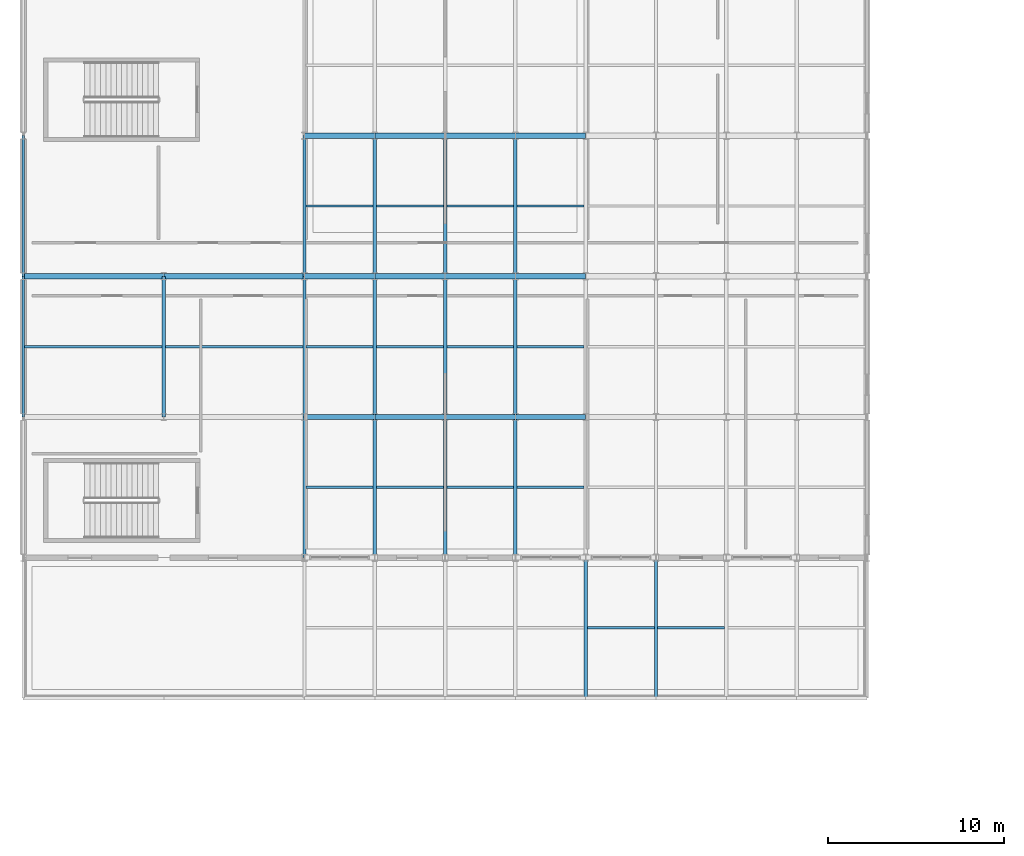
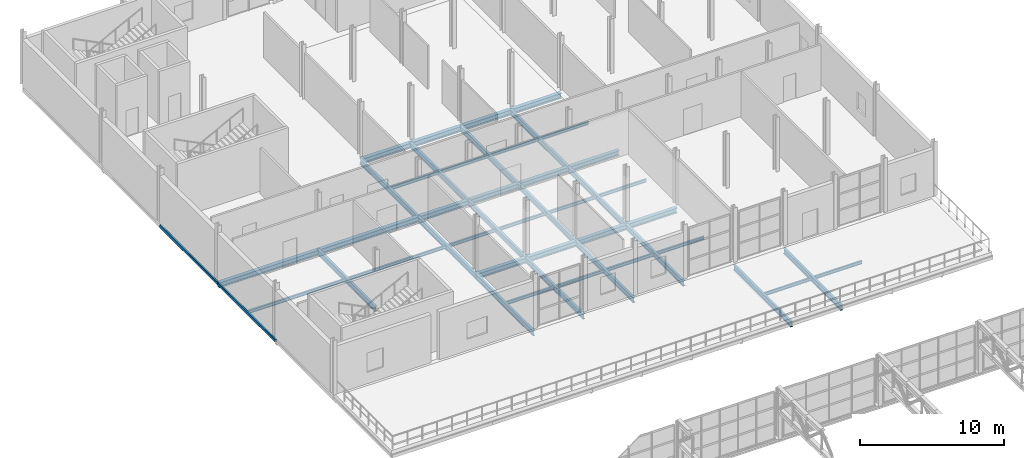
# One storey, part 47 of 67: 47 beams.
"""IFC4 building model written with IfcOpenShell, lengths in metres."""

import ifcopenshell
import ifcopenshell.guid

model = None  # the IFC model being written
_history = None  # IfcOwnerHistory: only IFC2X3 demands one
_inside = {}  # id of a spatial element -> (the spatial element, [elements in it])
_under = {}  # id of a project, library or spatial element -> (it, [spatial elements below it])
_declared = {}  # id of a project -> (the project, [libraries it declares])
_typed = {}  # id of a type object -> (the type object, [elements of that type])
_made_of = {}  # id of a material, layer set ... -> (it, [elements and type objects made of it])


def new_model(schema):
    """Start an empty IFC model of exactly this schema.

    Asked for "IFC4X3", IfcOpenShell would pick the latest addendum, in which some entities
    have other attributes; the version numbers below select the first issue.
    IFC2X3 requires an IfcOwnerHistory on every rooted entity: one is made here for all.
    """
    global model, _history
    if schema == "IFC4X3":
        model = ifcopenshell.file(schema_version=(4, 3, 0, 0))
    else:
        model = ifcopenshell.file(schema=schema)
    _inside.clear()
    _under.clear()
    _declared.clear()
    _typed.clear()
    _made_of.clear()
    _history = None
    if model.schema == "IFC2X3":
        org = make("IfcOrganization", Name="unknown")
        user = make(
            "IfcPersonAndOrganization",
            ThePerson=make("IfcPerson", FamilyName="unknown"),
            TheOrganization=org,
        )
        app = make(
            "IfcApplication",
            ApplicationDeveloper=org,
            Version="unknown",
            ApplicationFullName="unknown",
            ApplicationIdentifier="unknown",
        )
        _history = make(
            "IfcOwnerHistory",
            OwningUser=user,
            OwningApplication=app,
            ChangeAction="ADDED",
            CreationDate=0,
        )
    return model


def make(cls, **values):
    """One entity of the class cls with the attributes given. An attribute that is None is left unset."""
    return model.create_entity(
        cls, **{name: value for name, value in values.items() if value is not None}
    )


def rooted(cls, **values):
    """An entity with a GlobalId (a new one), such as an element, a storey or a relation."""
    return make(cls, GlobalId=ifcopenshell.guid.new(), OwnerHistory=_history, **values)


def si_unit(unit_type, name, prefix=None):
    """IfcSIUnit, for example si_unit("LENGTHUNIT", "METRE", prefix="MILLI")."""
    return make("IfcSIUnit", UnitType=unit_type, Prefix=prefix, Name=name)


def derived_unit(unit_type, elements):
    """IfcDerivedUnit: a product of units, each with its exponent."""
    return make(
        "IfcDerivedUnit",
        Elements=[
            make("IfcDerivedUnitElement", Unit=unit, Exponent=power)
            for unit, power in elements
        ],
        UnitType=unit_type,
    )


def assignment(units):
    """IfcUnitAssignment: the units of a project."""
    return None if units is None else make("IfcUnitAssignment", Units=units)


def point(xyz):
    """IfcCartesianPoint."""
    return None if xyz is None else make("IfcCartesianPoint", Coordinates=xyz)


def direction(xyz):
    """IfcDirection."""
    return None if xyz is None else make("IfcDirection", DirectionRatios=xyz)


def frame(location, z_axis=None, x_axis=None):
    """IfcAxis2Placement3D, a coordinate frame: its origin and axes. An axis left out is left unset."""
    return make(
        "IfcAxis2Placement3D",
        Location=point(location),
        Axis=direction(z_axis),
        RefDirection=direction(x_axis),
    )


def frame_2d(location, x_axis=None):
    """IfcAxis2Placement2D, a coordinate frame in the plane: its origin and x axis."""
    return make(
        "IfcAxis2Placement2D", Location=point(location), RefDirection=direction(x_axis)
    )


def origin():
    """The frame at (0, 0, 0) with its axes left unset."""
    return frame((0.0, 0.0, 0.0))


def origin_2d():
    """The frame at (0, 0) in the plane with its x axis left unset."""
    return frame_2d((0.0, 0.0))


def place(relative_to, where):
    """IfcLocalPlacement: puts the frame where relative to a parent placement (None: the world)."""
    return make(
        "IfcLocalPlacement", PlacementRelTo=relative_to, RelativePlacement=where
    )


def context(
    kind, dimensions, precision=None, world=None, true_north=None, identifier=None
):
    """IfcGeometricRepresentationContext, for example the 3D "Model" context."""
    return make(
        "IfcGeometricRepresentationContext",
        ContextIdentifier=identifier,
        ContextType=kind,
        CoordinateSpaceDimension=dimensions,
        Precision=precision,
        WorldCoordinateSystem=world,
        TrueNorth=true_north,
    )


def subcontext(parent, identifier, kind, view, scale=None):
    """IfcGeometricRepresentationSubContext, for example "Body" below "Model"."""
    return make(
        "IfcGeometricRepresentationSubContext",
        ContextIdentifier=identifier,
        ContextType=kind,
        ParentContext=parent,
        TargetScale=scale,
        TargetView=view,
    )


def project(units=None, contexts=None):
    """IfcProject with its units and contexts."""
    return rooted(
        "IfcProject",
        Name="project",
        RepresentationContexts=contexts,
        UnitsInContext=assignment(units),
    )


def spatial(cls, under=None, at=None, **own):
    """A site, building, storey or space (cls), placed at a placement, below another one or the project."""
    s = rooted(cls, ObjectPlacement=at, **own)
    if under is not None:
        _under.setdefault(under.id(), (under, []))[1].append(s)
    return s


def profile(cls, at=None, kind="AREA", **sizes):
    """A parametric profile (cls). Its sizes go by their IFC names, for example OverallWidth=200.0."""
    return make(cls, ProfileType=kind, Position=at, **sizes)


def hollow_rectangle(**sizes):
    """IfcRectangleHollowProfileDef."""
    return profile("IfcRectangleHollowProfileDef", **sizes)


def i_section(**sizes):
    """IfcIShapeProfileDef."""
    return profile("IfcIShapeProfileDef", **sizes)


def extrude(swept, where, along, depth):
    """IfcExtrudedAreaSolid: the profile swept, set in the frame where, extruded along a direction by depth."""
    return make(
        "IfcExtrudedAreaSolid",
        SweptArea=swept,
        Position=where,
        ExtrudedDirection=direction(along),
        Depth=depth,
    )


def shape(context_of_items, identifier, shape_type, items):
    """IfcShapeRepresentation: the items that make up one representation, for example the "Body"."""
    return make(
        "IfcShapeRepresentation",
        ContextOfItems=context_of_items,
        RepresentationIdentifier=identifier,
        RepresentationType=shape_type,
        Items=items,
    )


def material(Name=None, Category=None):
    """IfcMaterial."""
    return make("IfcMaterial", Name=Name, Category=Category)


def material_profile(
    of_material, cross_section, Name=None, Category=None, Priority=None
):
    """IfcMaterialProfile: a cross section and its material."""
    return make(
        "IfcMaterialProfile",
        Name=Name,
        Material=of_material,
        Profile=cross_section,
        Priority=Priority,
        Category=Category,
    )


def profile_set(profiles, Name=None, composite=None):
    """IfcMaterialProfileSet."""
    return make(
        "IfcMaterialProfileSet",
        Name=Name,
        MaterialProfiles=profiles,
        CompositeProfile=composite,
    )


def made_of(thing, what):
    """Note that an element or type object is made of a material, layer set ...; save() writes the relation."""
    if what is not None:
        _made_of.setdefault(what.id(), (what, []))[1].append(thing)
    return thing


def type_object(cls, material=None, **own):
    """A type object (cls), such as IfcWallType, which elements share."""
    return made_of(rooted(cls, **own), material)


def element(
    cls,
    number,
    at=None,
    inside=None,
    cuts=None,
    type_object=None,
    material=None,
    context=None,
    identifier="Body",
    shape_type=None,
    held_by="IfcProductDefinitionShape",
    body=None,
    shapes=None,
    **own,
):
    """One element of the class cls, such as IfcWall. Its Tag is "e" and its number.

    at: its placement. inside: the storey or other place that contains it. cuts: it is an
    opening in that element (IfcRelVoidsElement). A single representation is given by context,
    identifier, shape_type and body (its items); several are given by shapes. held_by: the class
    of the entity that holds the representations. save() writes the other relations.
    """
    e = rooted(cls, Tag="e%d" % number, ObjectPlacement=at, **own)
    if body is not None:
        shapes = [shape(context, identifier, shape_type, body)]
    if shapes is not None:
        e.Representation = make(held_by, Representations=shapes)
    if inside is not None:
        _inside.setdefault(inside.id(), (inside, []))[1].append(e)
    if cuts is not None:
        rooted(
            "IfcRelVoidsElement", RelatingBuildingElement=cuts, RelatedOpeningElement=e
        )
    if type_object is not None:
        _typed.setdefault(type_object.id(), (type_object, []))[1].append(e)
    return made_of(e, material)


def aggregate(whole, parts):
    """IfcRelAggregates: a whole, such as a stair, and the parts it consists of."""
    return rooted("IfcRelAggregates", RelatingObject=whole, RelatedObjects=parts)


def save(model, path):
    """Write the relations noted so far, then the file.

    IfcRelAggregates (storeys below a building ...), IfcRelContainedInSpatialStructure (elements
    in a storey), IfcRelDefinesByType, IfcRelAssociatesMaterial and IfcRelDeclares: one each for
    every whole, place, type object, material and project.
    """
    for whole, parts in _under.values():
        aggregate(whole, parts)
    for where, things in _inside.values():
        rooted(
            "IfcRelContainedInSpatialStructure",
            RelatedElements=things,
            RelatingStructure=where,
        )
    for kind, things in _typed.values():
        rooted("IfcRelDefinesByType", RelatedObjects=things, RelatingType=kind)
    for what, things in _made_of.values():
        rooted("IfcRelAssociatesMaterial", RelatedObjects=things, RelatingMaterial=what)
    for by, libraries in _declared.values():
        rooted("IfcRelDeclares", RelatingContext=by, RelatedDefinitions=libraries)
    model.write(path)


model = new_model("IFC4")

# Units and contexts
model_context = context("Model", 3, precision=1e-05, world=origin(), true_north=direction((0.0, 1.0)))
body_context = subcontext(model_context, "Body", "Model", "MODEL_VIEW")
ifc_project = project(units=[si_unit("LENGTHUNIT", "METRE"), si_unit("AREAUNIT", "SQUARE_METRE"), si_unit("VOLUMEUNIT", "CUBIC_METRE"), si_unit("PLANEANGLEUNIT", "RADIAN"), si_unit("MASSUNIT", "GRAM", prefix="KILO"), derived_unit("THERMALTRANSMITTANCEUNIT", [(si_unit("POWERUNIT", "WATT"), 1), (si_unit("LENGTHUNIT", "METRE"), -2), (si_unit("THERMODYNAMICTEMPERATUREUNIT", "KELVIN"), -1)])], contexts=[model_context])

# Site, building, storey
site_placement = place(None, origin())
site = spatial("IfcSite", under=ifc_project, at=site_placement, CompositionType="ELEMENT")
building_placement = place(site_placement, origin())
building = spatial("IfcBuilding", under=site, at=building_placement, Name="Keldorne Ridge Multi-Sports Centre", CompositionType="ELEMENT")
storey_placement = place(building_placement, frame((0.0, 0.0, 14.0)))
storey = spatial("IfcBuildingStorey", under=building, at=storey_placement, Name="L03", CompositionType="ELEMENT", Elevation=14.0)

# Beams
ifc_material = material(Name="Steel S355", Category="steel")
ifc_material_profile_1 = material_profile(ifc_material, i_section(OverallWidth=0.18994140625, OverallDepth=0.449951171875, WebThickness=0.009521484375, FlangeThickness=0.0146484375, FilletRadius=0.02099609375, at=origin_2d()), Name="IPE 450")
ifc_profile_set_1 = profile_set([ifc_material_profile_1], Name="Steel S355")
beam_type_1 = type_object("IfcBeamType", Name="BM-B-03", PredefinedType="BEAM", material=ifc_profile_set_1)
for number, where, z_axis, x_axis, name in (
    (1, (112.0, 82.0, -0.52490234375), (0.0, 1.0, 0.0), (-1.0, 0.0, 0.0), "L03 primary girder 112.3"),
    (2, (120.0, 74.0, -0.52490234375), (0.0, 1.0, 0.0), (-1.0, 0.0, 0.0), "L03 primary girder 120.2"),
    (3, (120.0, 82.0, -0.52490234375), (0.0, 1.0, 0.0), (-1.0, 0.0, 0.0), "L03 primary girder 120.3"),
    (4, (120.0, 90.0, -0.52490234375), (0.0, 1.0, 0.0), (-1.0, 0.0, 0.0), "L03 primary girder 120.4"),
    (5, (124.0, 74.0, -0.52490234375), (0.0, 1.0, 0.0), (-1.0, 0.0, 0.0), "L03 primary girder 124.2"),
    (6, (124.0, 82.0, -0.52490234375), (0.0, 1.0, 0.0), (-1.0, 0.0, 0.0), "L03 primary girder 124.3"),
    (7, (124.0, 90.0, -0.52490234375), (0.0, 1.0, 0.0), (-1.0, 0.0, 0.0), "L03 primary girder 124.4"),
    (8, (128.0, 74.0, -0.52490234375), (0.0, 1.0, 0.0), (-1.0, 0.0, 0.0), "L03 primary girder 128.2"),
    (9, (128.0, 82.0, -0.52490234375), (0.0, 1.0, 0.0), (-1.0, 0.0, 0.0), "L03 primary girder 128.3"),
    (10, (128.0, 90.0, -0.52490234375), (0.0, 1.0, 0.0), (-1.0, 0.0, 0.0), "L03 primary girder 128.4"),
    (11, (132.0, 74.0, -0.52490234375), (0.0, 1.0, 0.0), (-1.0, 0.0, 0.0), "L03 primary girder 132.2"),
    (12, (132.0, 82.0, -0.52490234375), (0.0, 1.0, 0.0), (-1.0, 0.0, 0.0), "L03 primary girder 132.3"),
    (13, (132.0, 90.0, -0.52490234375), (0.0, 1.0, 0.0), (-1.0, 0.0, 0.0), "L03 primary girder 132.4"),
    (14, (136.0, 66.0, -0.52490234375), (0.0, 1.0, 0.0), (-1.0, 0.0, 0.0), "L03 primary girder 136.1"),
    (15, (140.0, 66.0, -0.52490234375), (0.0, 1.0, 0.0), (-1.0, 0.0, 0.0), "L03 primary girder 140.1"),
):
    element("IfcBeam", number, at=place(storey_placement, frame(where, z_axis=z_axis, x_axis=x_axis)), inside=storey, type_object=beam_type_1, Name=name, PredefinedType="BEAM", context=body_context, shape_type="SweptSolid", body=[
        extrude(i_section(OverallWidth=0.18994140625, OverallDepth=0.449951171875, WebThickness=0.009521484375, FlangeThickness=0.0146484375, FilletRadius=0.02099609375, at=origin_2d()), origin(), (0.0, 0.0, 1.0), 8.0),
    ])
ifc_material_profile_2 = material_profile(ifc_material, i_section(OverallWidth=0.300048828125, OverallDepth=0.43994140625, WebThickness=0.011474609375, FlangeThickness=0.02099609375, FilletRadius=0.027099609375, at=origin_2d()), Name="HEA 450")
ifc_profile_set_2 = profile_set([ifc_material_profile_2], Name="Steel S355")
beam_type_2 = type_object("IfcBeamType", Name="BM-B-09", PredefinedType="BEAM", material=ifc_profile_set_2)
for number, where, z_axis, x_axis, name in (
    (16, (120.0, 82.0, -0.52001953125), (1.0, 0.0, 0.0), (0.0, 1.0, 0.0), "L03 primary beam 3.82"),
    (17, (124.0, 82.0, -0.52001953125), (1.0, 0.0, 0.0), (0.0, 1.0, 0.0), "L03 primary beam 4.82"),
    (18, (128.0, 82.0, -0.52001953125), (1.0, 0.0, 0.0), (0.0, 1.0, 0.0), "L03 primary beam 5.82"),
    (19, (132.0, 82.0, -0.52001953125), (1.0, 0.0, 0.0), (0.0, 1.0, 0.0), "L03 primary beam 6.82"),
):
    element("IfcBeam", number, at=place(storey_placement, frame(where, z_axis=z_axis, x_axis=x_axis)), inside=storey, type_object=beam_type_2, Name=name, PredefinedType="BEAM", context=body_context, shape_type="SweptSolid", body=[
        extrude(i_section(OverallWidth=0.300048828125, OverallDepth=0.43994140625, WebThickness=0.011474609375, FlangeThickness=0.02099609375, FilletRadius=0.027099609375, at=origin_2d()), origin(), (0.0, 0.0, 1.0), 4.0),
    ])
for number, where, z_axis, x_axis, name in (
    (20, (104.0, 90.0, -0.52001953125), (1.0, 0.0, 0.0), (0.0, 1.0, 0.0), "L03 primary beam 1.90"),
    (21, (112.0, 90.0, -0.52001953125), (1.0, 0.0, 0.0), (0.0, 1.0, 0.0), "L03 primary beam 2.90"),
):
    element("IfcBeam", number, at=place(storey_placement, frame(where, z_axis=z_axis, x_axis=x_axis)), inside=storey, type_object=beam_type_2, Name=name, PredefinedType="BEAM", context=body_context, shape_type="SweptSolid", body=[
        extrude(i_section(OverallWidth=0.300048828125, OverallDepth=0.43994140625, WebThickness=0.011474609375, FlangeThickness=0.02099609375, FilletRadius=0.027099609375, at=origin_2d()), origin(), (0.0, 0.0, 1.0), 8.0),
    ])
for number, where, z_axis, x_axis, name in (
    (22, (120.0, 90.0, -0.52001953125), (1.0, 0.0, 0.0), (0.0, 1.0, 0.0), "L03 primary beam 3.90"),
    (23, (124.0, 90.0, -0.52001953125), (1.0, 0.0, 0.0), (0.0, 1.0, 0.0), "L03 primary beam 4.90"),
    (24, (128.0, 90.0, -0.52001953125), (1.0, 0.0, 0.0), (0.0, 1.0, 0.0), "L03 primary beam 5.90"),
    (25, (132.0, 90.0, -0.52001953125), (1.0, 0.0, 0.0), (0.0, 1.0, 0.0), "L03 primary beam 6.90"),
    (26, (120.0, 98.0, -0.52001953125), (1.0, 0.0, 0.0), (0.0, 1.0, 0.0), "L03 primary beam 3.98"),
    (27, (124.0, 98.0, -0.52001953125), (1.0, 0.0, 0.0), (0.0, 1.0, 0.0), "L03 primary beam 4.98"),
    (28, (128.0, 98.0, -0.52001953125), (1.0, 0.0, 0.0), (0.0, 1.0, 0.0), "L03 primary beam 5.98"),
    (29, (132.0, 98.0, -0.52001953125), (1.0, 0.0, 0.0), (0.0, 1.0, 0.0), "L03 primary beam 6.98"),
):
    element("IfcBeam", number, at=place(storey_placement, frame(where, z_axis=z_axis, x_axis=x_axis)), inside=storey, type_object=beam_type_2, Name=name, PredefinedType="BEAM", context=body_context, shape_type="SweptSolid", body=[
        extrude(i_section(OverallWidth=0.300048828125, OverallDepth=0.43994140625, WebThickness=0.011474609375, FlangeThickness=0.02099609375, FilletRadius=0.027099609375, at=origin_2d()), origin(), (0.0, 0.0, 1.0), 4.0),
    ])
ifc_material_profile_3 = material_profile(ifc_material, i_section(OverallWidth=0.135009765625, OverallDepth=0.27001953125, WebThickness=0.006591796875, FlangeThickness=0.01025390625, FilletRadius=0.014892578125, at=origin_2d()), Name="IPE 270")
ifc_profile_set_3 = profile_set([ifc_material_profile_3], Name="Steel S355")
beam_type_3 = type_object("IfcBeamType", Name="BM-J-03", PredefinedType="JOIST", material=ifc_profile_set_3)
beam_1_placement = place(storey_placement, frame((104.074951171875, 86.0, -0.43505859375), z_axis=(1.0, 0.0, 0.0), x_axis=(0.0, 1.0, 0.0)))
element("IfcBeam", 30, at=beam_1_placement, inside=storey, type_object=beam_type_3, Name="L03 secondary joist 1.3", PredefinedType="JOIST", context=body_context, shape_type="SweptSolid", body=[
    extrude(i_section(OverallWidth=0.135009765625, OverallDepth=0.27001953125, WebThickness=0.006591796875, FlangeThickness=0.01025390625, FilletRadius=0.014892578125, at=origin_2d()), origin(), (0.0, 0.0, 1.0), 7.830078125),
])
beam_2_placement = place(storey_placement, frame((112.094970703125, 86.0, -0.43505859375), z_axis=(1.0, 0.0, 0.0), x_axis=(0.0, 1.0, 0.0)))
element("IfcBeam", 31, at=beam_2_placement, inside=storey, type_object=beam_type_3, Name="L03 secondary joist 2.3", PredefinedType="JOIST", context=body_context, shape_type="SweptSolid", body=[
    extrude(i_section(OverallWidth=0.135009765625, OverallDepth=0.27001953125, WebThickness=0.006591796875, FlangeThickness=0.01025390625, FilletRadius=0.014892578125, at=origin_2d()), origin(), (0.0, 0.0, 1.0), 7.81005859375),
])
for number, where, z_axis, x_axis, name in (
    (32, (120.094970703125, 78.0, -0.43505859375), (1.0, 0.0, 0.0), (0.0, 1.0, 0.0), "L03 secondary joist 3.2"),
    (33, (120.094970703125, 86.0, -0.43505859375), (1.0, 0.0, 0.0), (0.0, 1.0, 0.0), "L03 secondary joist 3.3"),
    (34, (120.094970703125, 94.0, -0.43505859375), (1.0, 0.0, 0.0), (0.0, 1.0, 0.0), "L03 secondary joist 3.4"),
    (35, (124.094970703125, 78.0, -0.43505859375), (1.0, 0.0, 0.0), (0.0, 1.0, 0.0), "L03 secondary joist 4.2"),
    (36, (124.094970703125, 86.0, -0.43505859375), (1.0, 0.0, 0.0), (0.0, 1.0, 0.0), "L03 secondary joist 4.3"),
    (37, (124.094970703125, 94.0, -0.43505859375), (1.0, 0.0, 0.0), (0.0, 1.0, 0.0), "L03 secondary joist 4.4"),
    (38, (128.094970703125, 78.0, -0.43505859375), (1.0, 0.0, 0.0), (0.0, 1.0, 0.0), "L03 secondary joist 5.2"),
    (39, (128.094970703125, 86.0, -0.43505859375), (1.0, 0.0, 0.0), (0.0, 1.0, 0.0), "L03 secondary joist 5.3"),
    (40, (128.094970703125, 94.0, -0.43505859375), (1.0, 0.0, 0.0), (0.0, 1.0, 0.0), "L03 secondary joist 5.4"),
    (41, (132.094970703125, 78.0, -0.43505859375), (1.0, 0.0, 0.0), (0.0, 1.0, 0.0), "L03 secondary joist 6.2"),
    (42, (132.094970703125, 86.0, -0.43505859375), (1.0, 0.0, 0.0), (0.0, 1.0, 0.0), "L03 secondary joist 6.3"),
    (43, (132.094970703125, 94.0, -0.43505859375), (1.0, 0.0, 0.0), (0.0, 1.0, 0.0), "L03 secondary joist 6.4"),
    (44, (136.094970703125, 70.0, -0.43505859375), (1.0, 0.0, 0.0), (0.0, 1.0, 0.0), "L03 secondary joist 7.1"),
    (45, (140.094970703125, 70.0, -0.43505859375), (1.0, 0.0, 0.0), (0.0, 1.0, 0.0), "L03 secondary joist 8.1"),
):
    element("IfcBeam", number, at=place(storey_placement, frame(where, z_axis=z_axis, x_axis=x_axis)), inside=storey, type_object=beam_type_3, Name=name, PredefinedType="JOIST", context=body_context, shape_type="SweptSolid", body=[
        extrude(i_section(OverallWidth=0.135009765625, OverallDepth=0.27001953125, WebThickness=0.006591796875, FlangeThickness=0.01025390625, FilletRadius=0.014892578125, at=origin_2d()), origin(), (0.0, 0.0, 1.0), 3.81005859375),
    ])
ifc_material_profile_4 = material_profile(ifc_material, hollow_rectangle(XDim=0.14990234375, YDim=0.25, WallThickness=0.010009765625, InnerFilletRadius=0.010009765625, OuterFilletRadius=0.02001953125, at=origin_2d()), Name="RHS 250x150x10")
ifc_profile_set_4 = profile_set([ifc_material_profile_4], Name="Steel S355")
beam_type_4 = type_object("IfcBeamType", Name="BM-SP-02", PredefinedType="SPANDREL", material=ifc_profile_set_4)
for number, where, z_axis, x_axis, name in (
    (46, (104.0, 82.0, -0.425048828125), (0.0, 1.0, 0.0), (-1.0, 0.0, 0.0), "L03 primary girder 104.3"),
    (47, (104.0, 90.0, -0.425048828125), (0.0, 1.0, 0.0), (-1.0, 0.0, 0.0), "L03 primary girder 104.4"),
):
    element("IfcBeam", number, at=place(storey_placement, frame(where, z_axis=z_axis, x_axis=x_axis)), inside=storey, type_object=beam_type_4, Name=name, PredefinedType="SPANDREL", context=body_context, shape_type="SweptSolid", body=[
        extrude(hollow_rectangle(XDim=0.14990234375, YDim=0.25, WallThickness=0.010009765625, InnerFilletRadius=0.010009765625, OuterFilletRadius=0.02001953125, at=origin_2d()), origin(), (0.0, 0.0, 1.0), 8.0),
    ])

save(model, "model.ifc")
